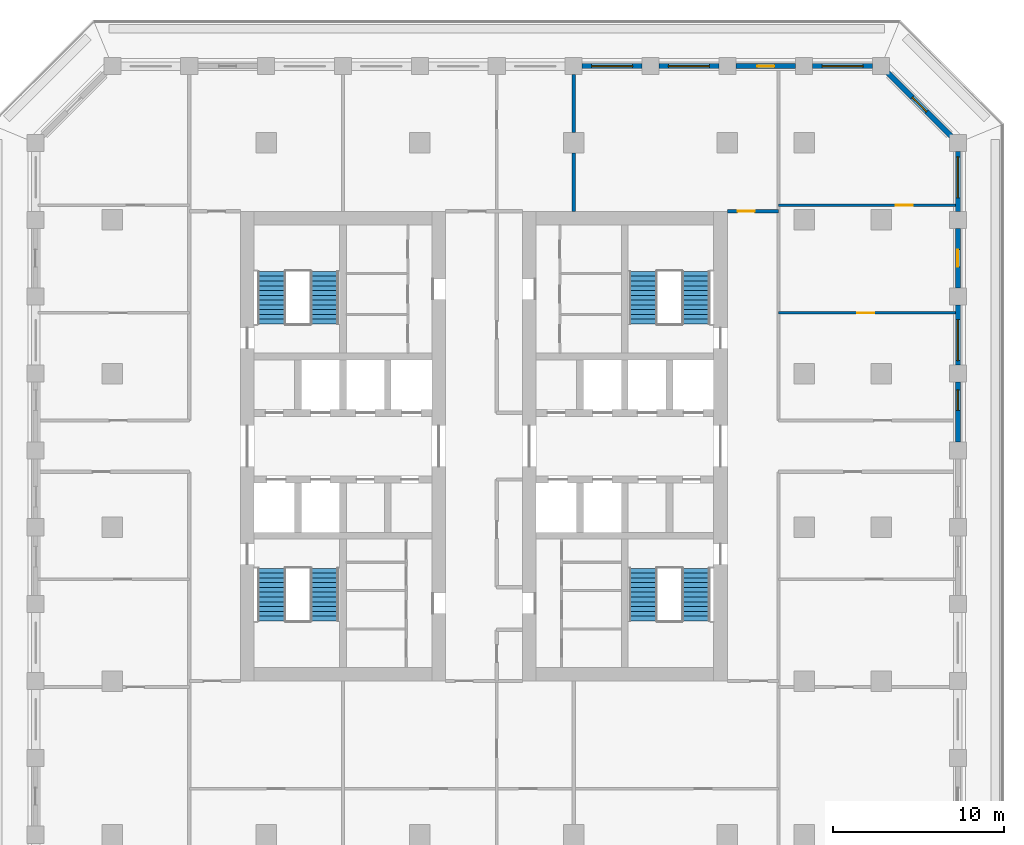
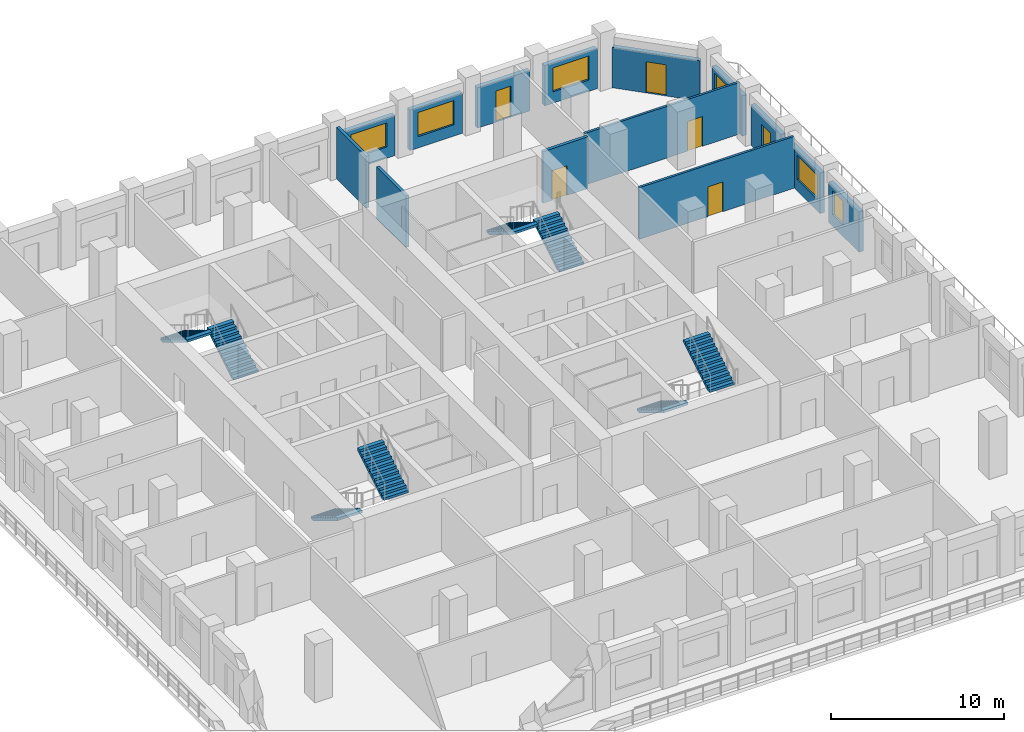
# One storey, part 8 of 16: 14 walls, 8 stair flights, 6 doors, 6 windows, 12 openings, 4 elements without a shape of their own.
"""IFC4 building model written with IfcOpenShell, lengths in metres."""

from ifc_helpers import new_model, si_unit, direction, frame, frame_2d, origin, place, context, subcontext, project, spatial, polyline, rectangle, outline, extrude, material, layer, layer_set, type_object, element, fill, aggregate, save


model = new_model("IFC4")

# Units and contexts
model_context = context("Model", 3, precision=1e-05, world=origin(), true_north=direction((0.0, 1.0)))
body_context = subcontext(model_context, "Body", "Model", "MODEL_VIEW")
ifc_project = project(units=[si_unit("LENGTHUNIT", "METRE"), si_unit("AREAUNIT", "SQUARE_METRE"), si_unit("VOLUMEUNIT", "CUBIC_METRE"), si_unit("PLANEANGLEUNIT", "RADIAN"), si_unit("MASSUNIT", "GRAM", prefix="KILO")], contexts=[model_context])

# Site, building, storey
site_placement = place(None, origin())
site = spatial("IfcSite", under=ifc_project, at=site_placement, CompositionType="ELEMENT")
building_placement = place(site_placement, origin())
building = spatial("IfcBuilding", under=site, at=building_placement, Name="Corbel Stack Research Tower", CompositionType="ELEMENT")
storey_placement = place(building_placement, frame((0.0, 0.0, 203.800048828125)))
storey = spatial("IfcBuildingStorey", under=building, at=storey_placement, Name="L46", CompositionType="ELEMENT", Elevation=203.800048828125)

# Walls
ifc_material_1 = material(Name="Fire-rated gypsum board partition on steel studs", Category="steel")
ifc_layer_1 = layer(ifc_material_1, 0.199951171875)
ifc_layer_set_1 = layer_set([ifc_layer_1], Name="Fire-rated gypsum board partition on steel studs")
wall_type_1 = type_object("IfcWallType", Name="Fire-rated partition 200 EI 60", PredefinedType="PARTITIONING", material=ifc_layer_set_1)
for number, where, z_axis, x_axis, name in (
    (1, (9.0, 18.5, 0.0), (0.0, 0.0, 1.0), (0.0, 1.0, 0.0), "Partition L46-012"),
    (2, (9.0, 23.10009765625, 0.0), (0.0, 0.0, 1.0), (0.0, 1.0, 0.0), "Partition L46-013"),
):
    element("IfcWall", number, at=place(storey_placement, frame(where, z_axis=z_axis, x_axis=x_axis)), inside=storey, type_object=wall_type_1, Name=name, PredefinedType="PARTITIONING", context=body_context, shape_type="SweptSolid", body=[
        extrude(rectangle(XDim=3.39990234375, YDim=0.199951171875, at=frame_2d((1.699951171875, 0.0))), origin(), (0.0, 0.0, 1.0), 3.64990234375),
    ])

# Wall, opening, door
wall_1_placement = place(storey_placement, frame((18.0, 18.5, 0.0), z_axis=(0.0, 0.0, 1.0), x_axis=(1.0, 0.0, 0.0)))
wall_1 = element("IfcWall", 3, at=wall_1_placement, inside=storey, type_object=wall_type_1, Name="Partition L46-040", PredefinedType="PARTITIONING", context=body_context, shape_type="SweptSolid", body=[
    extrude(rectangle(XDim=3.0, YDim=0.199951171875, at=frame_2d((1.5, 0.0))), origin(), (0.0, 0.0, 1.0), 3.64990234375),
])
opening_1_placement = place(wall_1_placement, frame((0.60009765625, 0.0, 0.0)))
opening_1 = element("IfcOpeningElement", 4, at=opening_1_placement, cuts=wall_1, Name="Opening B6V1-029", PredefinedType="OPENING", context=body_context, shape_type="SweptSolid", body=[
    extrude(rectangle(XDim=1.0, YDim=2.10009765625, at=frame_2d((0.5, 1.050048828125))), frame((0.0, 0.10986328125, 0.0), z_axis=(0.0, -1.0, 0.0), x_axis=(1.0, 0.0, 0.0)), (0.0, 0.0, 1.0), 0.219970703125),
])
ifc_material_2 = material(Name="Painted steel fire door", Category="steel")
door_type_1 = type_object("IfcDoorType", Name="Fire door FD30S 1000 x 2100", OperationType="NOTDEFINED", PredefinedType="DOOR", material=ifc_material_2)
door_1_placement = place(opening_1_placement, origin())
door_1 = element("IfcDoor", 5, at=door_1_placement, inside=storey, type_object=door_type_1, Name="Door B6V1-029", OperationType="SINGLE_SWING_LEFT", OverallHeight=2.10009765625, OverallWidth=1.0, PredefinedType="DOOR", context=body_context, shape_type="SweptSolid", body=[
    extrude(rectangle(XDim=1.0, YDim=2.10009765625, at=frame_2d((0.5, 1.050048828125))), frame((0.0, 0.02490234375, 0.0), z_axis=(0.0, -1.0, 0.0), x_axis=(1.0, 0.0, 0.0)), (0.0, 0.0, 1.0), 0.050048828125),
])
fill(opening_1, door_1)

ifc_material_3 = material(Name="Gypsum board partition on steel studs", Category="steel")
ifc_layer_2 = layer(ifc_material_3, 0.14990234375)
ifc_layer_set_2 = layer_set([ifc_layer_2], Name="Gypsum board partition on steel studs")
wall_type_2 = type_object("IfcWallType", Name="Partition 150", PredefinedType="PARTITIONING", material=ifc_layer_set_2)
wall_2_placement = place(storey_placement, frame((21.0, 12.550048828125, 0.0), z_axis=(0.0, 0.0, 1.0), x_axis=(1.0, 0.0, 0.0)))
wall_2 = element("IfcWall", 6, at=wall_2_placement, inside=storey, type_object=wall_type_2, Name="Partition L46-037", PredefinedType="PARTITIONING", context=body_context, shape_type="SweptSolid", body=[
    extrude(rectangle(XDim=10.35009765625, YDim=0.14990234375, at=frame_2d((5.175048828125, 0.0))), origin(), (0.0, 0.0, 1.0), 3.64990234375),
])
opening_2_placement = place(wall_2_placement, frame((4.60009765625, 0.0, 0.0)))
opening_2 = element("IfcOpeningElement", 7, at=opening_2_placement, cuts=wall_2, Name="Opening B6V1-026", PredefinedType="OPENING", context=body_context, shape_type="SweptSolid", body=[
    extrude(rectangle(XDim=1.0, YDim=2.10009765625, at=frame_2d((0.5, 1.050048828125))), frame((0.0, 0.0849609375, 0.0), z_axis=(0.0, -1.0, 0.0), x_axis=(1.0, 0.0, 0.0)), (0.0, 0.0, 1.0), 0.169921875),
])
ifc_material_4 = material(Name="Painted timber door", Category="wood")
door_type_2 = type_object("IfcDoorType", Name="Single door 1000 x 2100", OperationType="NOTDEFINED", PredefinedType="DOOR", material=ifc_material_4)
door_2_placement = place(opening_2_placement, origin())
door_2 = element("IfcDoor", 8, at=door_2_placement, inside=storey, type_object=door_type_2, Name="Door B6V1-026", OperationType="SINGLE_SWING_LEFT", OverallHeight=2.10009765625, OverallWidth=1.0, PredefinedType="DOOR", context=body_context, shape_type="SweptSolid", body=[
    extrude(rectangle(XDim=1.0, YDim=2.10009765625, at=frame_2d((0.5, 1.050048828125))), frame((0.0, 0.02490234375, 0.0), z_axis=(0.0, -1.0, 0.0), x_axis=(1.0, 0.0, 0.0)), (0.0, 0.0, 1.0), 0.050048828125),
])
fill(opening_2, door_2)

wall_3_placement = place(storey_placement, frame((21.0, 18.85009765625, 0.0), z_axis=(0.0, 0.0, 1.0), x_axis=(1.0, 0.0, 0.0)))
wall_3 = element("IfcWall", 9, at=wall_3_placement, inside=storey, type_object=wall_type_2, Name="Partition L46-042", PredefinedType="PARTITIONING", context=body_context, shape_type="SweptSolid", body=[
    extrude(rectangle(XDim=10.35009765625, YDim=0.14990234375, at=frame_2d((5.175048828125, 0.0))), origin(), (0.0, 0.0, 1.0), 3.64990234375),
])
opening_3_placement = place(wall_3_placement, frame((6.85009765625, 0.0, 0.0)))
opening_3 = element("IfcOpeningElement", 10, at=opening_3_placement, cuts=wall_3, Name="Opening B6V1-031", PredefinedType="OPENING", context=body_context, shape_type="SweptSolid", body=[
    extrude(rectangle(XDim=1.0, YDim=2.10009765625, at=frame_2d((0.5, 1.050048828125))), frame((0.0, 0.0849609375, 0.0), z_axis=(0.0, -1.0, 0.0), x_axis=(1.0, 0.0, 0.0)), (0.0, 0.0, 1.0), 0.169921875),
])
door_3_placement = place(opening_3_placement, origin())
door_3 = element("IfcDoor", 11, at=door_3_placement, inside=storey, type_object=door_type_2, Name="Door B6V1-031", OperationType="SINGLE_SWING_RIGHT", OverallHeight=2.10009765625, OverallWidth=1.0, PredefinedType="DOOR", context=body_context, shape_type="SweptSolid", body=[
    extrude(rectangle(XDim=1.0, YDim=2.10009765625, at=frame_2d((0.5, 1.050048828125))), frame((0.0, 0.02490234375, 0.0), z_axis=(0.0, -1.0, 0.0), x_axis=(1.0, 0.0, 0.0)), (0.0, 0.0, 1.0), 0.050048828125),
])
fill(opening_3, door_3)

# Wall, opening, window
ifc_material_5 = material(Name="Concrete C45/55", Category="concrete")
ifc_layer_3 = layer(ifc_material_5, 0.300048828125)
ifc_layer_set_3 = layer_set([ifc_layer_3], Name="Concrete C45/55")
wall_type_3 = type_object("IfcWallType", Name="Terracotta-faced concrete wall 300", PredefinedType="SOLIDWALL", material=ifc_layer_set_3)
wall_4_placement = place(storey_placement, frame((31.5, 8.5, 0.0), z_axis=(0.0, 0.0, 1.0), x_axis=(0.0, -1.0, 0.0)))
wall_4 = element("IfcWall", 12, at=wall_4_placement, inside=storey, type_object=wall_type_3, Name="Facade wall L46 E07", PredefinedType="SOLIDWALL", context=body_context, shape_type="SweptSolid", body=[
    extrude(rectangle(XDim=3.5, YDim=0.300048828125, at=frame_2d((1.75, 0.0))), origin(), (0.0, 0.0, 1.0), 2.849853515625),
])
opening_4_placement = place(wall_4_placement, frame((0.449951171875, 0.0, 0.800048828125)))
opening_4 = element("IfcOpeningElement", 13, at=opening_4_placement, cuts=wall_4, Name="Opening W2", PredefinedType="OPENING", context=body_context, shape_type="SweptSolid", body=[
    extrude(rectangle(XDim=1.199951171875, YDim=1.699951171875, at=frame_2d((0.60009765625, 0.85009765625))), frame((0.0, 0.159912109375, 0.0), z_axis=(0.0, -1.0, 0.0), x_axis=(1.0, 0.0, 0.0)), (0.0, 0.0, 1.0), 0.320068359375),
])
ifc_material_6 = material(Name="Aluminium frame, clear double glazing", Category="aluminium")
window_type_1 = type_object("IfcWindowType", Name="Window W2 1200 x 1700", PartitioningType="SINGLE_PANEL", PredefinedType="WINDOW", material=ifc_material_6)
window_1_placement = place(opening_4_placement, origin())
window_1 = element("IfcWindow", 14, at=window_1_placement, inside=storey, type_object=window_type_1, Name="Window W2 L46 E07", OverallHeight=1.699951171875, OverallWidth=1.199951171875, PartitioningType="SINGLE_PANEL", PredefinedType="WINDOW", context=body_context, shape_type="SweptSolid", body=[
    extrude(rectangle(XDim=1.199951171875, YDim=1.699951171875, at=frame_2d((0.60009765625, 0.85009765625))), frame((0.0, 0.030029296875, 0.0), z_axis=(0.0, -1.0, 0.0), x_axis=(1.0, 0.0, 0.0)), (0.0, 0.0, 1.0), 0.06005859375),
])
fill(opening_4, window_1)

wall_5_placement = place(storey_placement, frame((31.5, 13.0, 0.0), z_axis=(0.0, 0.0, 1.0), x_axis=(0.0, -1.0, 0.0)))
wall_5 = element("IfcWall", 15, at=wall_5_placement, inside=storey, type_object=wall_type_3, Name="Facade wall L46 E08", PredefinedType="SOLIDWALL", context=body_context, shape_type="SweptSolid", body=[
    extrude(rectangle(XDim=3.5, YDim=0.300048828125, at=frame_2d((1.75, 0.0))), origin(), (0.0, 0.0, 1.0), 2.849853515625),
])
opening_5_placement = place(wall_5_placement, frame((0.83740234375, 0.0, 0.800048828125)))
opening_5 = element("IfcOpeningElement", 16, at=opening_5_placement, cuts=wall_5, Name="Opening W1", PredefinedType="OPENING", context=body_context, shape_type="SweptSolid", body=[
    extrude(rectangle(XDim=2.39990234375, YDim=1.699951171875, at=frame_2d((1.199951171875, 0.85009765625))), frame((0.0, 0.159912109375, 0.0), z_axis=(0.0, -1.0, 0.0), x_axis=(1.0, 0.0, 0.0)), (0.0, 0.0, 1.0), 0.320068359375),
])
ifc_material_7 = material(Name="Aluminium frame, clear double glazing", Category="aluminium")
window_type_2 = type_object("IfcWindowType", Name="Window W1 2400 x 1700", PartitioningType="SINGLE_PANEL", PredefinedType="WINDOW", material=ifc_material_7)
window_2_placement = place(opening_5_placement, origin())
window_2 = element("IfcWindow", 17, at=window_2_placement, inside=storey, type_object=window_type_2, Name="Window W1 L46 E08", OverallHeight=1.699951171875, OverallWidth=2.39990234375, PartitioningType="SINGLE_PANEL", PredefinedType="WINDOW", context=body_context, shape_type="SweptSolid", body=[
    extrude(rectangle(XDim=2.39990234375, YDim=1.699951171875, at=frame_2d((1.199951171875, 0.85009765625))), frame((0.0, 0.030029296875, 0.0), z_axis=(0.0, -1.0, 0.0), x_axis=(1.0, 0.0, 0.0)), (0.0, 0.0, 1.0), 0.06005859375),
])
fill(opening_5, window_2)

# Wall, opening, door
wall_6_placement = place(storey_placement, frame((31.5, 17.5, 0.0), z_axis=(0.0, 0.0, 1.0), x_axis=(0.0, -1.0, 0.0)))
wall_6 = element("IfcWall", 18, at=wall_6_placement, inside=storey, type_object=wall_type_3, Name="Facade wall L46 E09", PredefinedType="SOLIDWALL", context=body_context, shape_type="SweptSolid", body=[
    extrude(rectangle(XDim=3.5, YDim=0.300048828125, at=frame_2d((1.75, 0.0))), origin(), (0.0, 0.0, 1.0), 2.849853515625),
])
opening_6_placement = place(wall_6_placement, frame((1.25, 0.0, 0.0)))
opening_6 = element("IfcOpeningElement", 19, at=opening_6_placement, cuts=wall_6, Name="Opening L46-B05", PredefinedType="OPENING", context=body_context, shape_type="SweptSolid", body=[
    extrude(rectangle(XDim=1.0, YDim=2.199951171875, at=frame_2d((0.5, 1.10009765625))), frame((0.0, 0.159912109375, 0.0), z_axis=(0.0, -1.0, 0.0), x_axis=(1.0, 0.0, 0.0)), (0.0, 0.0, 1.0), 0.320068359375),
])
ifc_material_8 = material(Name="Aluminium frame, clear double glazing", Category="aluminium")
door_type_3 = type_object("IfcDoorType", Name="Balcony door BD1 1000 x 2200", OperationType="NOTDEFINED", PredefinedType="DOOR", material=ifc_material_8)
door_4_placement = place(opening_6_placement, origin())
door_4 = element("IfcDoor", 20, at=door_4_placement, inside=storey, type_object=door_type_3, Name="Balcony door L46-B05", OperationType="SINGLE_SWING_LEFT", OverallHeight=2.199951171875, OverallWidth=1.0, PredefinedType="DOOR", context=body_context, shape_type="SweptSolid", body=[
    extrude(rectangle(XDim=1.0, YDim=2.199951171875, at=frame_2d((0.5, 1.10009765625))), frame((0.0, 0.02490234375, 0.0), z_axis=(0.0, -1.0, 0.0), x_axis=(1.0, 0.0, 0.0)), (0.0, 0.0, 1.0), 0.050048828125),
])
fill(opening_6, door_4)

# Wall, opening, window
wall_7_placement = place(storey_placement, frame((31.5, 22.0, 0.0), z_axis=(0.0, 0.0, 1.0), x_axis=(0.0, -1.0, 0.0)))
wall_7 = element("IfcWall", 21, at=wall_7_placement, inside=storey, type_object=wall_type_3, Name="Facade wall L46 E10", PredefinedType="SOLIDWALL", context=body_context, shape_type="SweptSolid", body=[
    extrude(rectangle(XDim=3.5, YDim=0.300048828125, at=frame_2d((1.75, 0.0))), origin(), (0.0, 0.0, 1.0), 2.849853515625),
])
opening_7_placement = place(wall_7_placement, frame((0.3125, 0.0, 0.800048828125)))
opening_7 = element("IfcOpeningElement", 22, at=opening_7_placement, cuts=wall_7, Name="Opening W1", PredefinedType="OPENING", context=body_context, shape_type="SweptSolid", body=[
    extrude(rectangle(XDim=2.39990234375, YDim=1.699951171875, at=frame_2d((1.199951171875, 0.85009765625))), frame((0.0, 0.159912109375, 0.0), z_axis=(0.0, -1.0, 0.0), x_axis=(1.0, 0.0, 0.0)), (0.0, 0.0, 1.0), 0.320068359375),
])
window_3_placement = place(opening_7_placement, origin())
window_3 = element("IfcWindow", 23, at=window_3_placement, inside=storey, type_object=window_type_2, Name="Window W1 L46 E10", OverallHeight=1.699951171875, OverallWidth=2.39990234375, PartitioningType="SINGLE_PANEL", PredefinedType="WINDOW", context=body_context, shape_type="SweptSolid", body=[
    extrude(rectangle(XDim=2.39990234375, YDim=1.699951171875, at=frame_2d((1.199951171875, 0.85009765625))), frame((0.0, 0.030029296875, 0.0), z_axis=(0.0, -1.0, 0.0), x_axis=(1.0, 0.0, 0.0)), (0.0, 0.0, 1.0), 0.06005859375),
])
fill(opening_7, window_3)

# Wall, opening, door
wall_8_placement = place(storey_placement, frame((27.393798828125, 26.606201171875, 0.0), z_axis=(0.0, 0.0, 1.0), x_axis=(0.707106781187, -0.707106781187, 0.0)))
wall_8 = element("IfcWall", 24, at=wall_8_placement, inside=storey, type_object=wall_type_3, Name="Facade wall L46 NE01", PredefinedType="SOLIDWALL", context=body_context, shape_type="SweptSolid", body=[
    extrude(rectangle(XDim=5.250244140625, YDim=0.300048828125, at=frame_2d((2.625, 0.0))), origin(), (0.0, 0.0, 1.0), 2.849853515625),
])
opening_8_placement = place(wall_8_placement, frame((2.02490234375, 0.0, 0.0)))
opening_8 = element("IfcOpeningElement", 25, at=opening_8_placement, cuts=wall_8, Name="Opening L46-B06", PredefinedType="OPENING", context=body_context, shape_type="SweptSolid", body=[
    extrude(rectangle(XDim=1.199951171875, YDim=2.199951171875, at=frame_2d((0.60009765625, 1.10009765625))), frame((0.0, 0.159912109375, 0.0), z_axis=(0.0, -1.0, 0.0), x_axis=(1.0, 0.0, 0.0)), (0.0, 0.0, 1.0), 0.320068359375),
])
ifc_material_9 = material(Name="Aluminium frame, clear double glazing", Category="aluminium")
door_type_4 = type_object("IfcDoorType", Name="Balcony door BD2 1200 x 2200", OperationType="NOTDEFINED", PredefinedType="DOOR", material=ifc_material_9)
door_5_placement = place(opening_8_placement, origin())
door_5 = element("IfcDoor", 26, at=door_5_placement, inside=storey, type_object=door_type_4, Name="Balcony door L46-B06", OperationType="SINGLE_SWING_LEFT", OverallHeight=2.199951171875, OverallWidth=1.199951171875, PredefinedType="DOOR", context=body_context, shape_type="SweptSolid", body=[
    extrude(rectangle(XDim=1.199951171875, YDim=2.199951171875, at=frame_2d((0.60009765625, 1.10009765625))), frame((0.0, 0.02490234375, 0.0), z_axis=(0.0, -1.0, 0.0), x_axis=(1.0, 0.0, 0.0)), (0.0, 0.0, 1.0), 0.050048828125),
])
fill(opening_8, door_5)

# Wall, opening, window
wall_9_placement = place(storey_placement, frame((23.0, 27.0, 0.0), z_axis=(0.0, 0.0, 1.0), x_axis=(1.0, 0.0, 0.0)))
wall_9 = element("IfcWall", 27, at=wall_9_placement, inside=storey, type_object=wall_type_3, Name="Facade wall L46 N01", PredefinedType="SOLIDWALL", context=body_context, shape_type="SweptSolid", body=[
    extrude(rectangle(XDim=3.5, YDim=0.300048828125, at=frame_2d((1.75, 0.0))), origin(), (0.0, 0.0, 1.0), 2.849853515625),
])
opening_9_placement = place(wall_9_placement, frame((0.550048828125, 0.0, 0.800048828125)))
opening_9 = element("IfcOpeningElement", 28, at=opening_9_placement, cuts=wall_9, Name="Opening W1", PredefinedType="OPENING", context=body_context, shape_type="SweptSolid", body=[
    extrude(rectangle(XDim=2.39990234375, YDim=1.699951171875, at=frame_2d((1.199951171875, 0.85009765625))), frame((0.0, 0.159912109375, 0.0), z_axis=(0.0, -1.0, 0.0), x_axis=(1.0, 0.0, 0.0)), (0.0, 0.0, 1.0), 0.320068359375),
])
window_4_placement = place(opening_9_placement, origin())
window_4 = element("IfcWindow", 29, at=window_4_placement, inside=storey, type_object=window_type_2, Name="Window W1 L46 N01", OverallHeight=1.699951171875, OverallWidth=2.39990234375, PartitioningType="SINGLE_PANEL", PredefinedType="WINDOW", context=body_context, shape_type="SweptSolid", body=[
    extrude(rectangle(XDim=2.39990234375, YDim=1.699951171875, at=frame_2d((1.199951171875, 0.85009765625))), frame((0.0, 0.030029296875, 0.0), z_axis=(0.0, -1.0, 0.0), x_axis=(1.0, 0.0, 0.0)), (0.0, 0.0, 1.0), 0.06005859375),
])
fill(opening_9, window_4)

# Wall, opening, door
wall_10_placement = place(storey_placement, frame((18.5, 27.0, 0.0), z_axis=(0.0, 0.0, 1.0), x_axis=(1.0, 0.0, 0.0)))
wall_10 = element("IfcWall", 30, at=wall_10_placement, inside=storey, type_object=wall_type_3, Name="Facade wall L46 N02", PredefinedType="SOLIDWALL", context=body_context, shape_type="SweptSolid", body=[
    extrude(rectangle(XDim=3.5, YDim=0.300048828125, at=frame_2d((1.75, 0.0))), origin(), (0.0, 0.0, 1.0), 2.849853515625),
])
opening_10_placement = place(wall_10_placement, frame((1.25, 0.0, 0.0)))
opening_10 = element("IfcOpeningElement", 31, at=opening_10_placement, cuts=wall_10, Name="Opening L46-B07", PredefinedType="OPENING", context=body_context, shape_type="SweptSolid", body=[
    extrude(rectangle(XDim=1.0, YDim=2.199951171875, at=frame_2d((0.5, 1.10009765625))), frame((0.0, 0.159912109375, 0.0), z_axis=(0.0, -1.0, 0.0), x_axis=(1.0, 0.0, 0.0)), (0.0, 0.0, 1.0), 0.320068359375),
])
door_6_placement = place(opening_10_placement, origin())
door_6 = element("IfcDoor", 32, at=door_6_placement, inside=storey, type_object=door_type_3, Name="Balcony door L46-B07", OperationType="SINGLE_SWING_RIGHT", OverallHeight=2.199951171875, OverallWidth=1.0, PredefinedType="DOOR", context=body_context, shape_type="SweptSolid", body=[
    extrude(rectangle(XDim=1.0, YDim=2.199951171875, at=frame_2d((0.5, 1.10009765625))), frame((0.0, 0.02490234375, 0.0), z_axis=(0.0, -1.0, 0.0), x_axis=(1.0, 0.0, 0.0)), (0.0, 0.0, 1.0), 0.050048828125),
])
fill(opening_10, door_6)

# Wall, opening, window
wall_11_placement = place(storey_placement, frame((14.0, 27.0, 0.0), z_axis=(0.0, 0.0, 1.0), x_axis=(1.0, 0.0, 0.0)))
wall_11 = element("IfcWall", 33, at=wall_11_placement, inside=storey, type_object=wall_type_3, Name="Facade wall L46 N03", PredefinedType="SOLIDWALL", context=body_context, shape_type="SweptSolid", body=[
    extrude(rectangle(XDim=3.5, YDim=0.300048828125, at=frame_2d((1.75, 0.0))), origin(), (0.0, 0.0, 1.0), 2.849853515625),
])
opening_11_placement = place(wall_11_placement, frame((0.550048828125, 0.0, 0.800048828125)))
opening_11 = element("IfcOpeningElement", 34, at=opening_11_placement, cuts=wall_11, Name="Opening W1", PredefinedType="OPENING", context=body_context, shape_type="SweptSolid", body=[
    extrude(rectangle(XDim=2.39990234375, YDim=1.699951171875, at=frame_2d((1.199951171875, 0.85009765625))), frame((0.0, 0.159912109375, 0.0), z_axis=(0.0, -1.0, 0.0), x_axis=(1.0, 0.0, 0.0)), (0.0, 0.0, 1.0), 0.320068359375),
])
window_5_placement = place(opening_11_placement, origin())
window_5 = element("IfcWindow", 35, at=window_5_placement, inside=storey, type_object=window_type_2, Name="Window W1 L46 N03", OverallHeight=1.699951171875, OverallWidth=2.39990234375, PartitioningType="SINGLE_PANEL", PredefinedType="WINDOW", context=body_context, shape_type="SweptSolid", body=[
    extrude(rectangle(XDim=2.39990234375, YDim=1.699951171875, at=frame_2d((1.199951171875, 0.85009765625))), frame((0.0, 0.030029296875, 0.0), z_axis=(0.0, -1.0, 0.0), x_axis=(1.0, 0.0, 0.0)), (0.0, 0.0, 1.0), 0.06005859375),
])
fill(opening_11, window_5)

wall_12_placement = place(storey_placement, frame((9.5, 27.0, 0.0), z_axis=(0.0, 0.0, 1.0), x_axis=(1.0, 0.0, 0.0)))
wall_12 = element("IfcWall", 36, at=wall_12_placement, inside=storey, type_object=wall_type_3, Name="Facade wall L46 N04", PredefinedType="SOLIDWALL", context=body_context, shape_type="SweptSolid", body=[
    extrude(rectangle(XDim=3.5, YDim=0.300048828125, at=frame_2d((1.75, 0.0))), origin(), (0.0, 0.0, 1.0), 2.849853515625),
])
opening_12_placement = place(wall_12_placement, frame((0.550048828125, 0.0, 0.800048828125)))
opening_12 = element("IfcOpeningElement", 37, at=opening_12_placement, cuts=wall_12, Name="Opening W1", PredefinedType="OPENING", context=body_context, shape_type="SweptSolid", body=[
    extrude(rectangle(XDim=2.39990234375, YDim=1.699951171875, at=frame_2d((1.199951171875, 0.85009765625))), frame((0.0, 0.159912109375, 0.0), z_axis=(0.0, -1.0, 0.0), x_axis=(1.0, 0.0, 0.0)), (0.0, 0.0, 1.0), 0.320068359375),
])
window_6_placement = place(opening_12_placement, origin())
window_6 = element("IfcWindow", 38, at=window_6_placement, inside=storey, type_object=window_type_2, Name="Window W1 L46 N04", OverallHeight=1.699951171875, OverallWidth=2.39990234375, PartitioningType="SINGLE_PANEL", PredefinedType="WINDOW", context=body_context, shape_type="SweptSolid", body=[
    extrude(rectangle(XDim=2.39990234375, YDim=1.699951171875, at=frame_2d((1.199951171875, 0.85009765625))), frame((0.0, 0.030029296875, 0.0), z_axis=(0.0, -1.0, 0.0), x_axis=(1.0, 0.0, 0.0)), (0.0, 0.0, 1.0), 0.06005859375),
])
fill(opening_12, window_6)

# Stair, stair flights
ifc_material_10 = material(Name="Concrete C40/50", Category="concrete")
stair_type = type_object("IfcStairType", Name="Exit stair 24 risers", PredefinedType="HALF_TURN_STAIR", material=ifc_material_10)
stair_1_placement = place(storey_placement, origin())
stair_1 = element("IfcStair", 39, at=stair_1_placement, inside=storey, type_object=stair_type, Name="L46 Exit stair ST-W1", PredefinedType="HALF_TURN_STAIR")
ifc_material_11 = material(Name="Concrete C40/50", Category="concrete")
stair_flight_type = type_object("IfcStairFlightType", Name="Stair flight 12 risers", PredefinedType="STRAIGHT", material=ifc_material_11)
stair_flight_1_placement = place(storey_placement, frame((-8.675048828125, -2.39990234375, 0.0), z_axis=(0.0, 0.0, 1.0), x_axis=(0.0, -1.0, 0.0)))
stair_flight_1 = element("IfcStairFlight", 40, at=stair_flight_1_placement, type_object=stair_flight_type, Name="ST-W1 flight 1", NumberOfRisers=12, NumberOfTreads=11, PredefinedType="STRAIGHT", RiserHeight=0.170833333, TreadLength=0.28, context=body_context, shape_type="SweptSolid", body=[
    extrude(outline(polyline([(0.0, 0.0), (0.0, 0.1708984375), (0.280029296875, 0.1708984375), (0.280029296875, 0.341552734375), (0.56005859375, 0.341552734375), (0.56005859375, 0.512451171875), (0.840087890625, 0.512451171875), (0.840087890625, 0.683349609375), (1.1201171875, 0.683349609375), (1.1201171875, 0.854248046875), (1.39990234375, 0.854248046875), (1.39990234375, 1.02490234375), (1.679931640625, 1.02490234375), (1.679931640625, 1.19580078125), (1.9599609375, 1.19580078125), (1.9599609375, 1.36669921875), (2.239990234375, 1.36669921875), (2.239990234375, 1.53759765625), (2.52001953125, 1.53759765625), (2.52001953125, 1.708251953125), (2.800048828125, 1.708251953125), (2.800048828125, 1.879150390625), (3.080078125, 1.879150390625), (3.080078125, 2.050048828125), (3.080078125, 1.70361328125), (0.287841796875, 0.0), (0.0, 0.0)])), frame((0.0, 0.824951171875, 0.0), z_axis=(0.0, -1.0, 0.0), x_axis=(1.0, 0.0, 0.0)), (0.0, 0.0, 1.0), 1.64990234375),
])
stair_flight_2_placement = place(storey_placement, frame((-5.574951171875, -5.47998046875, 2.050048828125), z_axis=(0.0, 0.0, 1.0), x_axis=(0.0, 1.0, 0.0)))
stair_flight_2 = element("IfcStairFlight", 41, at=stair_flight_2_placement, type_object=stair_flight_type, Name="ST-W1 flight 2", NumberOfRisers=12, NumberOfTreads=11, PredefinedType="STRAIGHT", RiserHeight=0.170833333, TreadLength=0.28, context=body_context, shape_type="SweptSolid", body=[
    extrude(outline(polyline([(0.0, 0.0), (0.0, 0.1708984375), (0.280029296875, 0.1708984375), (0.280029296875, 0.341552734375), (0.56005859375, 0.341552734375), (0.56005859375, 0.512451171875), (0.840087890625, 0.512451171875), (0.840087890625, 0.683349609375), (1.1201171875, 0.683349609375), (1.1201171875, 0.854248046875), (1.39990234375, 0.854248046875), (1.39990234375, 1.02490234375), (1.679931640625, 1.02490234375), (1.679931640625, 1.19580078125), (1.9599609375, 1.19580078125), (1.9599609375, 1.36669921875), (2.239990234375, 1.36669921875), (2.239990234375, 1.53759765625), (2.52001953125, 1.53759765625), (2.52001953125, 1.708251953125), (2.800048828125, 1.708251953125), (2.800048828125, 1.879150390625), (3.080078125, 1.879150390625), (3.080078125, 2.050048828125), (3.080078125, 1.70361328125), (0.287841796875, 0.0), (0.0, 0.0)])), frame((0.0, 0.824951171875, 0.0), z_axis=(0.0, -1.0, 0.0), x_axis=(1.0, 0.0, 0.0)), (0.0, 0.0, 1.0), 1.64990234375),
])
aggregate(stair_1, [stair_flight_1, stair_flight_2])

stair_2_placement = place(storey_placement, origin())
stair_2 = element("IfcStair", 42, at=stair_2_placement, inside=storey, type_object=stair_type, Name="L46 Exit stair ST-W2", PredefinedType="HALF_TURN_STAIR")
stair_flight_3_placement = place(storey_placement, frame((-5.574951171875, 11.89990234375, 0.0), z_axis=(0.0, 0.0, 1.0), x_axis=(0.0, 1.0, 0.0)))
stair_flight_3 = element("IfcStairFlight", 43, at=stair_flight_3_placement, type_object=stair_flight_type, Name="ST-W2 flight 1", NumberOfRisers=12, NumberOfTreads=11, PredefinedType="STRAIGHT", RiserHeight=0.170833333, TreadLength=0.28, context=body_context, shape_type="SweptSolid", body=[
    extrude(outline(polyline([(0.0, 0.0), (0.0, 0.1708984375), (0.280029296875, 0.1708984375), (0.280029296875, 0.341552734375), (0.56005859375, 0.341552734375), (0.56005859375, 0.512451171875), (0.840087890625, 0.512451171875), (0.840087890625, 0.683349609375), (1.1201171875, 0.683349609375), (1.1201171875, 0.854248046875), (1.39990234375, 0.854248046875), (1.39990234375, 1.02490234375), (1.679931640625, 1.02490234375), (1.679931640625, 1.19580078125), (1.9599609375, 1.19580078125), (1.9599609375, 1.36669921875), (2.239990234375, 1.36669921875), (2.239990234375, 1.53759765625), (2.52001953125, 1.53759765625), (2.52001953125, 1.708251953125), (2.800048828125, 1.708251953125), (2.800048828125, 1.879150390625), (3.080078125, 1.879150390625), (3.080078125, 2.050048828125), (3.080078125, 1.70361328125), (0.287841796875, 0.0), (0.0, 0.0)])), frame((0.0, 0.824951171875, 0.0), z_axis=(0.0, -1.0, 0.0), x_axis=(1.0, 0.0, 0.0)), (0.0, 0.0, 1.0), 1.64990234375),
])
stair_flight_4_placement = place(storey_placement, frame((-8.675048828125, 14.97998046875, 2.050048828125), z_axis=(0.0, 0.0, 1.0), x_axis=(0.0, -1.0, 0.0)))
stair_flight_4 = element("IfcStairFlight", 44, at=stair_flight_4_placement, type_object=stair_flight_type, Name="ST-W2 flight 2", NumberOfRisers=12, NumberOfTreads=11, PredefinedType="STRAIGHT", RiserHeight=0.170833333, TreadLength=0.28, context=body_context, shape_type="SweptSolid", body=[
    extrude(outline(polyline([(0.0, 0.0), (0.0, 0.1708984375), (0.280029296875, 0.1708984375), (0.280029296875, 0.341552734375), (0.56005859375, 0.341552734375), (0.56005859375, 0.512451171875), (0.840087890625, 0.512451171875), (0.840087890625, 0.683349609375), (1.1201171875, 0.683349609375), (1.1201171875, 0.854248046875), (1.39990234375, 0.854248046875), (1.39990234375, 1.02490234375), (1.679931640625, 1.02490234375), (1.679931640625, 1.19580078125), (1.9599609375, 1.19580078125), (1.9599609375, 1.36669921875), (2.239990234375, 1.36669921875), (2.239990234375, 1.53759765625), (2.52001953125, 1.53759765625), (2.52001953125, 1.708251953125), (2.800048828125, 1.708251953125), (2.800048828125, 1.879150390625), (3.080078125, 1.879150390625), (3.080078125, 2.050048828125), (3.080078125, 1.70361328125), (0.287841796875, 0.0), (0.0, 0.0)])), frame((0.0, 0.824951171875, 0.0), z_axis=(0.0, -1.0, 0.0), x_axis=(1.0, 0.0, 0.0)), (0.0, 0.0, 1.0), 1.64990234375),
])
aggregate(stair_2, [stair_flight_3, stair_flight_4])

stair_3_placement = place(storey_placement, origin())
stair_3 = element("IfcStair", 45, at=stair_3_placement, inside=storey, type_object=stair_type, Name="L46 Exit stair ST-E1", PredefinedType="HALF_TURN_STAIR")
stair_flight_5_placement = place(storey_placement, frame((13.074951171875, -2.39990234375, 0.0), z_axis=(0.0, 0.0, 1.0), x_axis=(0.0, -1.0, 0.0)))
stair_flight_5 = element("IfcStairFlight", 46, at=stair_flight_5_placement, type_object=stair_flight_type, Name="ST-E1 flight 1", NumberOfRisers=12, NumberOfTreads=11, PredefinedType="STRAIGHT", RiserHeight=0.170833333, TreadLength=0.28, context=body_context, shape_type="SweptSolid", body=[
    extrude(outline(polyline([(0.0, 0.0), (0.0, 0.1708984375), (0.280029296875, 0.1708984375), (0.280029296875, 0.341552734375), (0.56005859375, 0.341552734375), (0.56005859375, 0.512451171875), (0.840087890625, 0.512451171875), (0.840087890625, 0.683349609375), (1.1201171875, 0.683349609375), (1.1201171875, 0.854248046875), (1.39990234375, 0.854248046875), (1.39990234375, 1.02490234375), (1.679931640625, 1.02490234375), (1.679931640625, 1.19580078125), (1.9599609375, 1.19580078125), (1.9599609375, 1.36669921875), (2.239990234375, 1.36669921875), (2.239990234375, 1.53759765625), (2.52001953125, 1.53759765625), (2.52001953125, 1.708251953125), (2.800048828125, 1.708251953125), (2.800048828125, 1.879150390625), (3.080078125, 1.879150390625), (3.080078125, 2.050048828125), (3.080078125, 1.70361328125), (0.287841796875, 0.0), (0.0, 0.0)])), frame((0.0, 0.824951171875, 0.0), z_axis=(0.0, -1.0, 0.0), x_axis=(1.0, 0.0, 0.0)), (0.0, 0.0, 1.0), 1.64990234375),
])
stair_flight_6_placement = place(storey_placement, frame((16.175048828125, -5.47998046875, 2.050048828125), z_axis=(0.0, 0.0, 1.0), x_axis=(0.0, 1.0, 0.0)))
stair_flight_6 = element("IfcStairFlight", 47, at=stair_flight_6_placement, type_object=stair_flight_type, Name="ST-E1 flight 2", NumberOfRisers=12, NumberOfTreads=11, PredefinedType="STRAIGHT", RiserHeight=0.170833333, TreadLength=0.28, context=body_context, shape_type="SweptSolid", body=[
    extrude(outline(polyline([(0.0, 0.0), (0.0, 0.1708984375), (0.280029296875, 0.1708984375), (0.280029296875, 0.341552734375), (0.56005859375, 0.341552734375), (0.56005859375, 0.512451171875), (0.840087890625, 0.512451171875), (0.840087890625, 0.683349609375), (1.1201171875, 0.683349609375), (1.1201171875, 0.854248046875), (1.39990234375, 0.854248046875), (1.39990234375, 1.02490234375), (1.679931640625, 1.02490234375), (1.679931640625, 1.19580078125), (1.9599609375, 1.19580078125), (1.9599609375, 1.36669921875), (2.239990234375, 1.36669921875), (2.239990234375, 1.53759765625), (2.52001953125, 1.53759765625), (2.52001953125, 1.708251953125), (2.800048828125, 1.708251953125), (2.800048828125, 1.879150390625), (3.080078125, 1.879150390625), (3.080078125, 2.050048828125), (3.080078125, 1.70361328125), (0.287841796875, 0.0), (0.0, 0.0)])), frame((0.0, 0.824951171875, 0.0), z_axis=(0.0, -1.0, 0.0), x_axis=(1.0, 0.0, 0.0)), (0.0, 0.0, 1.0), 1.64990234375),
])
aggregate(stair_3, [stair_flight_5, stair_flight_6])

stair_4_placement = place(storey_placement, origin())
stair_4 = element("IfcStair", 48, at=stair_4_placement, inside=storey, type_object=stair_type, Name="L46 Exit stair ST-E2", PredefinedType="HALF_TURN_STAIR")
stair_flight_7_placement = place(storey_placement, frame((16.175048828125, 11.89990234375, 0.0), z_axis=(0.0, 0.0, 1.0), x_axis=(0.0, 1.0, 0.0)))
stair_flight_7 = element("IfcStairFlight", 49, at=stair_flight_7_placement, type_object=stair_flight_type, Name="ST-E2 flight 1", NumberOfRisers=12, NumberOfTreads=11, PredefinedType="STRAIGHT", RiserHeight=0.170833333, TreadLength=0.28, context=body_context, shape_type="SweptSolid", body=[
    extrude(outline(polyline([(0.0, 0.0), (0.0, 0.1708984375), (0.280029296875, 0.1708984375), (0.280029296875, 0.341552734375), (0.56005859375, 0.341552734375), (0.56005859375, 0.512451171875), (0.840087890625, 0.512451171875), (0.840087890625, 0.683349609375), (1.1201171875, 0.683349609375), (1.1201171875, 0.854248046875), (1.39990234375, 0.854248046875), (1.39990234375, 1.02490234375), (1.679931640625, 1.02490234375), (1.679931640625, 1.19580078125), (1.9599609375, 1.19580078125), (1.9599609375, 1.36669921875), (2.239990234375, 1.36669921875), (2.239990234375, 1.53759765625), (2.52001953125, 1.53759765625), (2.52001953125, 1.708251953125), (2.800048828125, 1.708251953125), (2.800048828125, 1.879150390625), (3.080078125, 1.879150390625), (3.080078125, 2.050048828125), (3.080078125, 1.70361328125), (0.287841796875, 0.0), (0.0, 0.0)])), frame((0.0, 0.824951171875, 0.0), z_axis=(0.0, -1.0, 0.0), x_axis=(1.0, 0.0, 0.0)), (0.0, 0.0, 1.0), 1.64990234375),
])
stair_flight_8_placement = place(storey_placement, frame((13.074951171875, 14.97998046875, 2.050048828125), z_axis=(0.0, 0.0, 1.0), x_axis=(0.0, -1.0, 0.0)))
stair_flight_8 = element("IfcStairFlight", 50, at=stair_flight_8_placement, type_object=stair_flight_type, Name="ST-E2 flight 2", NumberOfRisers=12, NumberOfTreads=11, PredefinedType="STRAIGHT", RiserHeight=0.170833333, TreadLength=0.28, context=body_context, shape_type="SweptSolid", body=[
    extrude(outline(polyline([(0.0, 0.0), (0.0, 0.1708984375), (0.280029296875, 0.1708984375), (0.280029296875, 0.341552734375), (0.56005859375, 0.341552734375), (0.56005859375, 0.512451171875), (0.840087890625, 0.512451171875), (0.840087890625, 0.683349609375), (1.1201171875, 0.683349609375), (1.1201171875, 0.854248046875), (1.39990234375, 0.854248046875), (1.39990234375, 1.02490234375), (1.679931640625, 1.02490234375), (1.679931640625, 1.19580078125), (1.9599609375, 1.19580078125), (1.9599609375, 1.36669921875), (2.239990234375, 1.36669921875), (2.239990234375, 1.53759765625), (2.52001953125, 1.53759765625), (2.52001953125, 1.708251953125), (2.800048828125, 1.708251953125), (2.800048828125, 1.879150390625), (3.080078125, 1.879150390625), (3.080078125, 2.050048828125), (3.080078125, 1.70361328125), (0.287841796875, 0.0), (0.0, 0.0)])), frame((0.0, 0.824951171875, 0.0), z_axis=(0.0, -1.0, 0.0), x_axis=(1.0, 0.0, 0.0)), (0.0, 0.0, 1.0), 1.64990234375),
])
aggregate(stair_4, [stair_flight_7, stair_flight_8])

save(model, "model.ifc")
